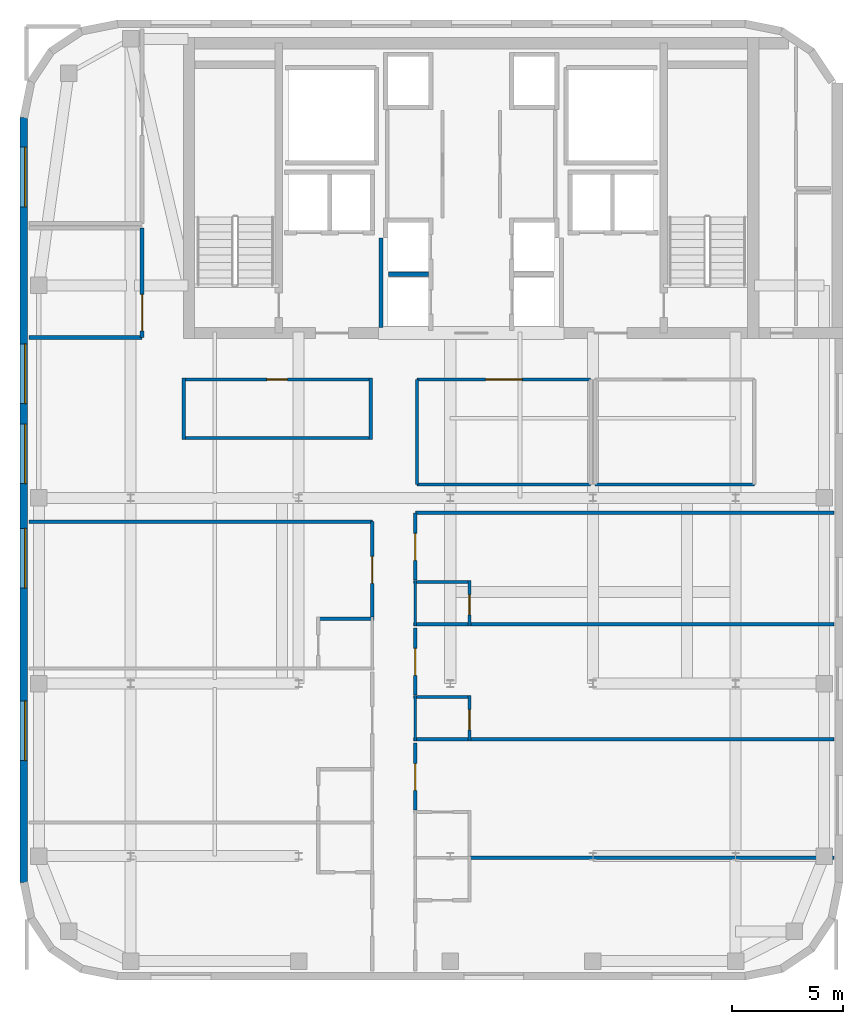
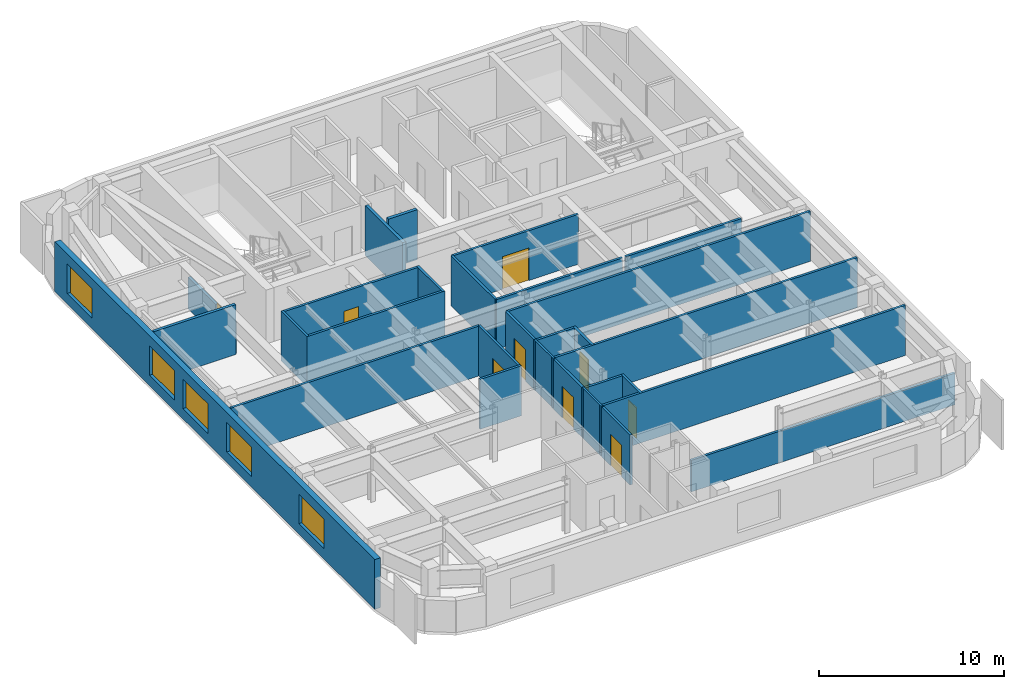
# One storey, part 4 of 8: 29 walls, 9 doors, 5 windows, 14 openings.
"""IFC4 building model written with IfcOpenShell, lengths in metres."""

from ifc_helpers import new_model, si_unit, direction, frame, frame_2d, origin, place, context, subcontext, project, spatial, rectangle, extrude, source, transform, mapped, material, layer, layer_set, type_object, type_shapes, element, fill, save


model = new_model("IFC4")

# Units and contexts
model_context = context("Model", 3, precision=1e-05, world=origin(), true_north=direction((0.0, 1.0)))
body_context = subcontext(model_context, "Body", "Model", "MODEL_VIEW")
ifc_project = project(units=[si_unit("LENGTHUNIT", "METRE"), si_unit("AREAUNIT", "SQUARE_METRE"), si_unit("VOLUMEUNIT", "CUBIC_METRE"), si_unit("PLANEANGLEUNIT", "RADIAN"), si_unit("MASSUNIT", "GRAM", prefix="KILO")], contexts=[model_context])

# Site, building, storey
site_placement = place(None, origin())
site = spatial("IfcSite", under=ifc_project, at=site_placement, CompositionType="ELEMENT")
building_placement = place(site_placement, origin())
building = spatial("IfcBuilding", under=site, at=building_placement, Name="Tolvann Quenvar Hotel", CompositionType="ELEMENT")
storey_placement = place(building_placement, frame((0.0, 0.0, 238.10009765625)))
storey = spatial("IfcBuildingStorey", under=building, at=storey_placement, Name="L63", CompositionType="ELEMENT", Elevation=238.10009765625)

# Wall, openings, windows
ifc_material_1 = material(Name="Kiln-fired red and buff architectural clay brickwork and terracotta masonry", Category="masonry")
ifc_layer_1 = layer(ifc_material_1, 0.35009765625)
ifc_layer_set_1 = layer_set([ifc_layer_1], Name="Kiln-fired red and buff architectural clay brickwork and terracotta masonry")
wall_type_1 = type_object("IfcWallType", Name="WALL_EXT_BRICK_350", PredefinedType="SOLIDWALL", material=ifc_layer_set_1)
wall_1_placement = place(storey_placement, frame((2.77490234375, 41.582763671875, 0.0), z_axis=(0.0, 0.0, 1.0), x_axis=(0.0, -1.0, 0.0)))
wall_1 = element("IfcWall", 1, at=wall_1_placement, inside=storey, type_object=wall_type_1, Name="Exterior Chicago Brick Wall L63-E19", PredefinedType="SOLIDWALL", context=body_context, shape_type="SweptSolid", body=[
    extrude(rectangle(XDim=34.565673828125, YDim=0.35009765625, at=frame_2d((17.28271484375, 0.0))), origin(), (0.0, 0.0, 1.0), 3.289794921875),
])
opening_1_placement = place(wall_1_placement, frame((1.3349609375, 0.0, 0.679931640625)))
opening_1 = element("IfcOpeningElement", 2, at=opening_1_placement, cuts=wall_1, Name="Opening W-04", PredefinedType="OPENING", context=body_context, shape_type="SweptSolid", body=[
    extrude(rectangle(XDim=2.699951171875, YDim=1.949951171875, at=frame_2d((1.35009765625, 0.97509765625))), frame((0.0, 0.18505859375, 0.0), z_axis=(0.0, -1.0, 0.0), x_axis=(1.0, 0.0, 0.0)), (0.0, 0.0, 1.0), 0.3701171875),
])
opening_2_placement = place(wall_1_placement, frame((10.22705078125, 0.0, 0.679931640625)))
opening_2 = element("IfcOpeningElement", 3, at=opening_2_placement, cuts=wall_1, Name="Opening W-04", PredefinedType="OPENING", context=body_context, shape_type="SweptSolid", body=[
    extrude(rectangle(XDim=2.699951171875, YDim=1.949951171875, at=frame_2d((1.35009765625, 0.97509765625))), frame((0.0, 0.18505859375, 0.0), z_axis=(0.0, -1.0, 0.0), x_axis=(1.0, 0.0, 0.0)), (0.0, 0.0, 1.0), 0.3701171875),
])
opening_3_placement = place(wall_1_placement, frame((13.846923828125, 0.0, 0.679931640625)))
opening_3 = element("IfcOpeningElement", 4, at=opening_3_placement, cuts=wall_1, Name="Opening W-04", PredefinedType="OPENING", context=body_context, shape_type="SweptSolid", body=[
    extrude(rectangle(XDim=2.699951171875, YDim=1.949951171875, at=frame_2d((1.35009765625, 0.97509765625))), frame((0.0, 0.18505859375, 0.0), z_axis=(0.0, -1.0, 0.0), x_axis=(1.0, 0.0, 0.0)), (0.0, 0.0, 1.0), 0.3701171875),
])
opening_4_placement = place(wall_1_placement, frame((18.568115234375, 0.0, 0.679931640625)))
opening_4 = element("IfcOpeningElement", 5, at=opening_4_placement, cuts=wall_1, Name="Opening W-04", PredefinedType="OPENING", context=body_context, shape_type="SweptSolid", body=[
    extrude(rectangle(XDim=2.699951171875, YDim=1.949951171875, at=frame_2d((1.35009765625, 0.97509765625))), frame((0.0, 0.18505859375, 0.0), z_axis=(0.0, -1.0, 0.0), x_axis=(1.0, 0.0, 0.0)), (0.0, 0.0, 1.0), 0.3701171875),
])
opening_5_placement = place(wall_1_placement, frame((26.360107421875, 0.0, 0.679931640625)))
opening_5 = element("IfcOpeningElement", 6, at=opening_5_placement, cuts=wall_1, Name="Opening W-04", PredefinedType="OPENING", context=body_context, shape_type="SweptSolid", body=[
    extrude(rectangle(XDim=2.699951171875, YDim=1.949951171875, at=frame_2d((1.35009765625, 0.97509765625))), frame((0.0, 0.18505859375, 0.0), z_axis=(0.0, -1.0, 0.0), x_axis=(1.0, 0.0, 0.0)), (0.0, 0.0, 1.0), 0.3701171875),
])
ifc_material_2 = material(Name="Thermally broken bronze-anodised aluminium frame with double low-E glazing", Category="aluminium")
window_type = type_object("IfcWindowType", Name="WIN_STE_2700x2150", PartitioningType="TRIPLE_PANEL_HORIZONTAL", PredefinedType="WINDOW", material=ifc_material_2)
shared_shape_1 = source(origin(), body_context, "Body", "SweptSolid", [
    extrude(rectangle(XDim=2.699951171875, YDim=1.949951171875, at=frame_2d((1.35009765625, 0.97509765625))), frame((0.0, 0.090087890625, 0.0), z_axis=(0.0, -1.0, 0.0), x_axis=(1.0, 0.0, 0.0)), (0.0, 0.0, 1.0), 0.06005859375),
])
type_shapes(window_type, [shared_shape_1])
window_1_placement = place(opening_1_placement, origin())
window_1 = element("IfcWindow", 7, at=window_1_placement, inside=storey, type_object=window_type, Name="Chicago Window W-04 (EW-L63-E19-W01)", OverallHeight=1.949951171875, OverallWidth=2.699951171875, PartitioningType="TRIPLE_PANEL_HORIZONTAL", PredefinedType="WINDOW", context=body_context, shape_type="MappedRepresentation", body=[
    mapped(shared_shape_1, transform((0.0, 0.0, 0.0), x_axis=(1.0, 0.0, 0.0), y_axis=(0.0, 1.0, 0.0), z_axis=(0.0, 0.0, 1.0), scale=1.0)),
])
fill(opening_1, window_1)
window_2_placement = place(opening_2_placement, origin())
window_2 = element("IfcWindow", 8, at=window_2_placement, inside=storey, type_object=window_type, Name="Chicago Window W-04 (EW-L63-E19-W02)", OverallHeight=1.949951171875, OverallWidth=2.699951171875, PartitioningType="TRIPLE_PANEL_HORIZONTAL", PredefinedType="WINDOW", context=body_context, shape_type="MappedRepresentation", body=[
    mapped(shared_shape_1, transform((0.0, 0.0, 0.0), x_axis=(1.0, 0.0, 0.0), y_axis=(0.0, 1.0, 0.0), z_axis=(0.0, 0.0, 1.0), scale=1.0)),
])
fill(opening_2, window_2)
window_3_placement = place(opening_3_placement, origin())
window_3 = element("IfcWindow", 9, at=window_3_placement, inside=storey, type_object=window_type, Name="Chicago Window W-04 (EW-L63-E19-W03)", OverallHeight=1.949951171875, OverallWidth=2.699951171875, PartitioningType="TRIPLE_PANEL_HORIZONTAL", PredefinedType="WINDOW", context=body_context, shape_type="MappedRepresentation", body=[
    mapped(shared_shape_1, transform((0.0, 0.0, 0.0), x_axis=(1.0, 0.0, 0.0), y_axis=(0.0, 1.0, 0.0), z_axis=(0.0, 0.0, 1.0), scale=1.0)),
])
fill(opening_3, window_3)
window_4_placement = place(opening_4_placement, origin())
window_4 = element("IfcWindow", 10, at=window_4_placement, inside=storey, type_object=window_type, Name="Chicago Window W-04 (EW-L63-E19-W04)", OverallHeight=1.949951171875, OverallWidth=2.699951171875, PartitioningType="TRIPLE_PANEL_HORIZONTAL", PredefinedType="WINDOW", context=body_context, shape_type="MappedRepresentation", body=[
    mapped(shared_shape_1, transform((0.0, 0.0, 0.0), x_axis=(1.0, 0.0, 0.0), y_axis=(0.0, 1.0, 0.0), z_axis=(0.0, 0.0, 1.0), scale=1.0)),
])
fill(opening_4, window_4)
window_5_placement = place(opening_5_placement, origin())
window_5 = element("IfcWindow", 11, at=window_5_placement, inside=storey, type_object=window_type, Name="Chicago Window W-04 (EW-L63-E19-W05)", OverallHeight=1.949951171875, OverallWidth=2.699951171875, PartitioningType="TRIPLE_PANEL_HORIZONTAL", PredefinedType="WINDOW", context=body_context, shape_type="MappedRepresentation", body=[
    mapped(shared_shape_1, transform((0.0, 0.0, 0.0), x_axis=(1.0, 0.0, 0.0), y_axis=(0.0, 1.0, 0.0), z_axis=(0.0, 0.0, 1.0), scale=1.0)),
])
fill(opening_5, window_5)

# Wall
ifc_material_3 = material(Name="Acoustic twin-stud fire-rated gypsum plasterboard partition")
ifc_layer_2 = layer(ifc_material_3, 0.179931640625)
ifc_layer_set_2 = layer_set([ifc_layer_2], Name="Acoustic twin-stud fire-rated gypsum plasterboard partition")
wall_type_2 = type_object("IfcWallType", Name="WALL_PART_ACOUSTIC_180", PredefinedType="PARTITIONING", material=ifc_layer_set_2)
wall_2_placement = place(storey_placement, frame((3.0048828125, 31.64990234375, 0.0), z_axis=(0.0, 0.0, 1.0), x_axis=(1.0, 0.0, 0.0)))
element("IfcWall", 12, at=wall_2_placement, inside=storey, type_object=wall_type_2, Name="Interior Partition PT-SPC-L63-SAL-S", PredefinedType="PARTITIONING", context=body_context, shape_type="SweptSolid", body=[
    extrude(rectangle(XDim=5.115234375, YDim=0.179931640625, at=frame_2d((2.5576171875, 0.0))), origin(), (0.0, 0.0, 1.0), 3.289794921875),
])

# Wall, opening, door
wall_3_placement = place(storey_placement, frame((8.1201171875, 31.64990234375, 0.0), z_axis=(0.0, 0.0, 1.0), x_axis=(0.0, 1.0, 0.0)))
wall_3 = element("IfcWall", 13, at=wall_3_placement, inside=storey, type_object=wall_type_2, Name="Interior Partition PT-SPC-L63-SAL-E", PredefinedType="PARTITIONING", context=body_context, shape_type="SweptSolid", body=[
    extrude(rectangle(XDim=4.9501953125, YDim=0.179931640625, at=frame_2d((2.47509765625, 0.0))), origin(), (0.0, 0.0, 1.0), 2.079833984375),
])
opening_6_placement = place(wall_3_placement, frame((0.300048828125, 0.0, 0.0)))
opening_6 = element("IfcOpeningElement", 14, at=opening_6_placement, cuts=wall_3, Name="Opening AD-01", PredefinedType="OPENING", context=body_context, shape_type="SweptSolid", body=[
    extrude(rectangle(XDim=1.64990234375, YDim=2.14990234375, at=frame_2d((0.824951171875, 1.074951171875))), frame((0.0, 0.10009765625, 0.0), z_axis=(0.0, -1.0, 0.0), x_axis=(1.0, 0.0, 0.0)), (0.0, 0.0, 1.0), 0.199951171875),
])
ifc_material_4 = material(Name="Solid-core American oak acoustic fire door leaf in steel frame", Category="steel")
door_type_1 = type_object("IfcDoorType", Name="DOOR_SALON_1650", OperationType="NOTDEFINED", PredefinedType="DOOR", material=ifc_material_4)
shared_shape_2 = source(origin(), body_context, "Body", "SweptSolid", [
    extrude(rectangle(XDim=1.64990234375, YDim=2.14990234375, at=frame_2d((0.824951171875, 1.074951171875))), frame((0.0, 0.02490234375, 0.0), z_axis=(0.0, -1.0, 0.0), x_axis=(1.0, 0.0, 0.0)), (0.0, 0.0, 1.0), 0.050048828125),
])
type_shapes(door_type_1, [shared_shape_2])
door_1_placement = place(opening_6_placement, origin())
door_1 = element("IfcDoor", 15, at=door_1_placement, inside=storey, type_object=door_type_1, Name="Interior Door DOOR-SPC-L63-SAL", OperationType="DOUBLE_DOOR_SINGLE_SWING", OverallHeight=2.14990234375, OverallWidth=1.64990234375, PredefinedType="DOOR", context=body_context, shape_type="MappedRepresentation", body=[
    mapped(shared_shape_2, transform((0.0, 0.0, 0.0), x_axis=(1.0, 0.0, 0.0), y_axis=(0.0, 1.0, 0.0), z_axis=(0.0, 0.0, 1.0), scale=1.0)),
])
fill(opening_6, door_1)

# Walls
ifc_material_5 = material(Name="Moisture-resistant acoustic plumbing wall assembly")
ifc_layer_3 = layer(ifc_material_5, 0.1201171875)
ifc_layer_set_3 = layer_set([ifc_layer_3], Name="Moisture-resistant acoustic plumbing wall assembly")
wall_type_3 = type_object("IfcWallType", Name="WALL_PART_BATH_120", PredefinedType="PLUMBINGWALL", material=ifc_layer_set_3)
wall_4_placement = place(storey_placement, frame((20.469970703125, 13.409912109375, 0.0), z_axis=(0.0, 0.0, 1.0), x_axis=(0.0, 1.0, 0.0)))
element("IfcWall", 16, at=wall_4_placement, inside=storey, type_object=wall_type_3, Name="Non-Rated Plumbing Partition PT-SPC-L63-ENS-EO03-W", PredefinedType="PLUMBINGWALL", context=body_context, shape_type="SweptSolid", body=[
    extrude(rectangle(XDim=2.05517578125, YDim=0.1201171875, at=frame_2d((1.027587890625, 0.0))), origin(), (0.0, 0.0, 1.0), 3.289794921875),
])
wall_5_placement = place(storey_placement, frame((20.469970703125, 18.610107421875, 0.0), z_axis=(0.0, 0.0, 1.0), x_axis=(0.0, 1.0, 0.0)))
element("IfcWall", 17, at=wall_5_placement, inside=storey, type_object=wall_type_3, Name="Non-Rated Plumbing Partition PT-SPC-L63-ENS-EO04-W", PredefinedType="PLUMBINGWALL", context=body_context, shape_type="SweptSolid", body=[
    extrude(rectangle(XDim=2.054931640625, YDim=0.1201171875, at=frame_2d((1.02734375, 0.0))), origin(), (0.0, 0.0, 1.0), 3.289794921875),
])
ifc_layer_4 = layer(ifc_material_3, 0.14990234375)
ifc_layer_set_4 = layer_set([ifc_layer_4], Name="Acoustic twin-stud fire-rated gypsum plasterboard partition")
wall_type_4 = type_object("IfcWallType", Name="WALL_PART_SUITE_150", PredefinedType="PARTITIONING", material=ifc_layer_set_4)
wall_6_placement = place(storey_placement, frame((16.010009765625, 18.929931640625, 0.0), z_axis=(0.0, 0.0, 1.0), x_axis=(1.0, 0.0, 0.0)))
element("IfcWall", 18, at=wall_6_placement, inside=storey, type_object=wall_type_4, Name="Interior Partition PT-SPC-L63-ENS-WO03-N", PredefinedType="PARTITIONING", context=body_context, shape_type="SweptSolid", body=[
    extrude(rectangle(XDim=2.590087890625, YDim=0.14990234375, at=frame_2d((1.294921875, 0.0))), origin(), (0.0, 0.0, 1.0), 3.289794921875),
])

# Wall, opening, door
wall_7_placement = place(storey_placement, frame((22.919921875, 13.409912109375, 0.0), z_axis=(0.0, 0.0, 1.0), x_axis=(0.0, 1.0, 0.0)))
wall_7 = element("IfcWall", 19, at=wall_7_placement, inside=storey, type_object=wall_type_4, Name="Interior Partition PT-SPC-L63-ENS-EO03-ENT", PredefinedType="PARTITIONING", context=body_context, shape_type="SweptSolid", body=[
    extrude(rectangle(XDim=2.05517578125, YDim=0.14990234375, at=frame_2d((1.027587890625, 0.0))), origin(), (0.0, 0.0, 1.0), 3.289794921875),
])
opening_7_placement = place(wall_7_placement, frame((0.49755859375, 0.0, 0.0)))
opening_7 = element("IfcOpeningElement", 20, at=opening_7_placement, cuts=wall_7, Name="Opening WD-01", PredefinedType="OPENING", context=body_context, shape_type="SweptSolid", body=[
    extrude(rectangle(XDim=0.919921875, YDim=2.010009765625, at=frame_2d((0.4599609375, 1.0048828125))), frame((0.0, 0.0849609375, 0.0), z_axis=(0.0, -1.0, 0.0), x_axis=(1.0, 0.0, 0.0)), (0.0, 0.0, 1.0), 0.169921875),
])
door_type_2 = type_object("IfcDoorType", Name="DOOR_WC_920", OperationType="NOTDEFINED", PredefinedType="DOOR", material=ifc_material_4)
shared_shape_3 = source(origin(), body_context, "Body", "SweptSolid", [
    extrude(rectangle(XDim=0.919921875, YDim=2.010009765625, at=frame_2d((0.4599609375, 1.0048828125))), frame((0.0, 0.02490234375, 0.0), z_axis=(0.0, -1.0, 0.0), x_axis=(1.0, 0.0, 0.0)), (0.0, 0.0, 1.0), 0.050048828125),
])
type_shapes(door_type_2, [shared_shape_3])
door_2_placement = place(opening_7_placement, origin())
door_2 = element("IfcDoor", 21, at=door_2_placement, inside=storey, type_object=door_type_2, Name="Interior Door DOOR-SPC-L63-ENS-EO03", OperationType="SINGLE_SWING_LEFT", OverallHeight=2.010009765625, OverallWidth=0.919921875, PredefinedType="DOOR", context=body_context, shape_type="MappedRepresentation", body=[
    mapped(shared_shape_3, transform((0.0, 0.0, 0.0), x_axis=(1.0, 0.0, 0.0), y_axis=(0.0, 1.0, 0.0), z_axis=(0.0, 0.0, 1.0), scale=1.0)),
])
fill(opening_7, door_2)

# Walls
wall_8_placement = place(storey_placement, frame((20.39990234375, 13.47998046875, 0.0), z_axis=(0.0, 0.0, 1.0), x_axis=(1.0, 0.0, 0.0)))
element("IfcWall", 22, at=wall_8_placement, inside=storey, type_object=wall_type_4, Name="Interior Partition PT-SPC-L63-ENS-EO03-S", PredefinedType="PARTITIONING", context=body_context, shape_type="SweptSolid", body=[
    extrude(rectangle(XDim=18.9951171875, YDim=0.14990234375, at=frame_2d((9.49755859375, 0.0))), origin(), (0.0, 0.0, 1.0), 3.289794921875),
])
wall_9_placement = place(storey_placement, frame((20.39990234375, 15.39501953125, 0.0), z_axis=(0.0, 0.0, 1.0), x_axis=(1.0, 0.0, 0.0)))
element("IfcWall", 23, at=wall_9_placement, inside=storey, type_object=wall_type_4, Name="Interior Partition PT-SPC-L63-ENS-EO03-N", PredefinedType="PARTITIONING", context=body_context, shape_type="SweptSolid", body=[
    extrude(rectangle(XDim=2.590087890625, YDim=0.14990234375, at=frame_2d((1.294921875, 0.0))), origin(), (0.0, 0.0, 1.0), 3.289794921875),
])

# Wall, opening, door
wall_10_placement = place(storey_placement, frame((22.919921875, 18.610107421875, 0.0), z_axis=(0.0, 0.0, 1.0), x_axis=(0.0, 1.0, 0.0)))
wall_10 = element("IfcWall", 24, at=wall_10_placement, inside=storey, type_object=wall_type_4, Name="Interior Partition PT-SPC-L63-ENS-EO04-ENT", PredefinedType="PARTITIONING", context=body_context, shape_type="SweptSolid", body=[
    extrude(rectangle(XDim=2.054931640625, YDim=0.14990234375, at=frame_2d((1.02734375, 0.0))), origin(), (0.0, 0.0, 1.0), 3.289794921875),
])
opening_8_placement = place(wall_10_placement, frame((0.49755859375, 0.0, 0.0)))
opening_8 = element("IfcOpeningElement", 25, at=opening_8_placement, cuts=wall_10, Name="Opening WD-01", PredefinedType="OPENING", context=body_context, shape_type="SweptSolid", body=[
    extrude(rectangle(XDim=0.919921875, YDim=2.010009765625, at=frame_2d((0.4599609375, 1.0048828125))), frame((0.0, 0.0849609375, 0.0), z_axis=(0.0, -1.0, 0.0), x_axis=(1.0, 0.0, 0.0)), (0.0, 0.0, 1.0), 0.169921875),
])
door_3_placement = place(opening_8_placement, origin())
door_3 = element("IfcDoor", 26, at=door_3_placement, inside=storey, type_object=door_type_2, Name="Interior Door DOOR-SPC-L63-ENS-EO04", OperationType="SINGLE_SWING_RIGHT", OverallHeight=2.010009765625, OverallWidth=0.919921875, PredefinedType="DOOR", context=body_context, shape_type="MappedRepresentation", body=[
    mapped(shared_shape_3, transform((0.0, 0.0, 0.0), x_axis=(1.0, 0.0, 0.0), y_axis=(0.0, 1.0, 0.0), z_axis=(0.0, 0.0, 1.0), scale=1.0)),
])
fill(opening_8, door_3)

# Walls
wall_11_placement = place(storey_placement, frame((20.39990234375, 18.679931640625, 0.0), z_axis=(0.0, 0.0, 1.0), x_axis=(1.0, 0.0, 0.0)))
element("IfcWall", 27, at=wall_11_placement, inside=storey, type_object=wall_type_4, Name="Interior Partition PT-SPC-L63-ENS-EO04-S", PredefinedType="PARTITIONING", context=body_context, shape_type="SweptSolid", body=[
    extrude(rectangle(XDim=18.9951171875, YDim=0.14990234375, at=frame_2d((9.49755859375, 0.0))), origin(), (0.0, 0.0, 1.0), 3.289794921875),
])
wall_12_placement = place(storey_placement, frame((20.39990234375, 20.594970703125, 0.0), z_axis=(0.0, 0.0, 1.0), x_axis=(1.0, 0.0, 0.0)))
element("IfcWall", 28, at=wall_12_placement, inside=storey, type_object=wall_type_4, Name="Interior Partition PT-SPC-L63-ENS-EO04-N", PredefinedType="PARTITIONING", context=body_context, shape_type="SweptSolid", body=[
    extrude(rectangle(XDim=2.590087890625, YDim=0.14990234375, at=frame_2d((1.294921875, 0.0))), origin(), (0.0, 0.0, 1.0), 3.289794921875),
])

# Wall, opening, door
wall_13_placement = place(storey_placement, frame((18.530029296875, 19.010009765625, 0.0), z_axis=(0.0, 0.0, 1.0), x_axis=(0.0, 1.0, 0.0)))
wall_13 = element("IfcWall", 29, at=wall_13_placement, inside=storey, type_object=wall_type_4, Name="Interior Partition PT-SPC-L63-RM-WO03-ENT", PredefinedType="PARTITIONING", context=body_context, shape_type="SweptSolid", body=[
    extrude(rectangle(XDim=4.31005859375, YDim=0.14990234375, at=frame_2d((2.155029296875, 0.0))), origin(), (0.0, 0.0, 1.0), 3.289794921875),
])
opening_9_placement = place(wall_13_placement, frame((1.52490234375, 0.0, 0.0)))
opening_9 = element("IfcOpeningElement", 30, at=opening_9_placement, cuts=wall_13, Name="Opening SD-02", PredefinedType="OPENING", context=body_context, shape_type="SweptSolid", body=[
    extrude(rectangle(XDim=1.219970703125, YDim=2.080078125, at=frame_2d((0.60986328125, 1.0400390625))), frame((0.0, 0.0849609375, 0.0), z_axis=(0.0, -1.0, 0.0), x_axis=(1.0, 0.0, 0.0)), (0.0, 0.0, 1.0), 0.169921875),
])
door_type_3 = type_object("IfcDoorType", Name="DOOR_VIP_1220", OperationType="NOTDEFINED", PredefinedType="DOOR", material=ifc_material_4)
shared_shape_4 = source(origin(), body_context, "Body", "SweptSolid", [
    extrude(rectangle(XDim=1.219970703125, YDim=2.080078125, at=frame_2d((0.60986328125, 1.0400390625))), frame((0.0, 0.02490234375, 0.0), z_axis=(0.0, -1.0, 0.0), x_axis=(1.0, 0.0, 0.0)), (0.0, 0.0, 1.0), 0.050048828125),
])
type_shapes(door_type_3, [shared_shape_4])
door_4_placement = place(opening_9_placement, origin())
door_4 = element("IfcDoor", 31, at=door_4_placement, inside=storey, type_object=door_type_3, Name="Interior Door DOOR-SPC-L63-RM-WO03", OperationType="SINGLE_SWING_LEFT", OverallHeight=2.080078125, OverallWidth=1.219970703125, PredefinedType="DOOR", context=body_context, shape_type="MappedRepresentation", body=[
    mapped(shared_shape_4, transform((0.0, 0.0, 0.0), x_axis=(1.0, 0.0, 0.0), y_axis=(0.0, 1.0, 0.0), z_axis=(0.0, 0.0, 1.0), scale=1.0)),
])
fill(opening_9, door_4)

# Walls
wall_14_placement = place(storey_placement, frame((3.0048828125, 23.320068359375, 0.0), z_axis=(0.0, 0.0, 1.0), x_axis=(1.0, 0.0, 0.0)))
element("IfcWall", 32, at=wall_14_placement, inside=storey, type_object=wall_type_4, Name="Interior Partition PT-SPC-L63-RM-WO03-E5", PredefinedType="PARTITIONING", context=body_context, shape_type="SweptSolid", body=[
    extrude(rectangle(XDim=15.525146484375, YDim=0.14990234375, at=frame_2d((7.7626953125, 0.0))), origin(), (0.0, 0.0, 1.0), 3.289794921875),
])
wall_15_placement = place(storey_placement, frame((22.93994140625, 8.1201171875, 0.0), z_axis=(0.0, 0.0, 1.0), x_axis=(1.0, 0.0, 0.0)))
element("IfcWall", 33, at=wall_15_placement, inside=storey, type_object=wall_type_4, Name="Interior Partition PT-SPC-L63-RM-EO01-E3", PredefinedType="PARTITIONING", context=body_context, shape_type="SweptSolid", body=[
    extrude(rectangle(XDim=16.455078125, YDim=0.14990234375, at=frame_2d((8.2275390625, 0.0))), origin(), (0.0, 0.0, 1.0), 2.079833984375),
])

# Wall, opening, door
wall_16_placement = place(storey_placement, frame((20.469970703125, 10.27490234375, 0.0), z_axis=(0.0, 0.0, 1.0), x_axis=(0.0, 1.0, 0.0)))
wall_16 = element("IfcWall", 34, at=wall_16_placement, inside=storey, type_object=wall_type_4, Name="Interior Partition PT-SPC-L63-RM-EO02-ENT", PredefinedType="PARTITIONING", context=body_context, shape_type="SweptSolid", body=[
    extrude(rectangle(XDim=3.045166015625, YDim=0.14990234375, at=frame_2d((1.5224609375, 0.0))), origin(), (0.0, 0.0, 1.0), 3.289794921875),
])
opening_10_placement = place(wall_16_placement, frame((0.892578125, 0.0, 0.0)))
opening_10 = element("IfcOpeningElement", 35, at=opening_10_placement, cuts=wall_16, Name="Opening SD-02", PredefinedType="OPENING", context=body_context, shape_type="SweptSolid", body=[
    extrude(rectangle(XDim=1.219970703125, YDim=2.080078125, at=frame_2d((0.60986328125, 1.0400390625))), frame((0.0, 0.0849609375, 0.0), z_axis=(0.0, -1.0, 0.0), x_axis=(1.0, 0.0, 0.0)), (0.0, 0.0, 1.0), 0.169921875),
])
door_5_placement = place(opening_10_placement, origin())
door_5 = element("IfcDoor", 36, at=door_5_placement, inside=storey, type_object=door_type_3, Name="Interior Door DOOR-SPC-L63-RM-EO02", OperationType="SINGLE_SWING_LEFT", OverallHeight=2.080078125, OverallWidth=1.219970703125, PredefinedType="DOOR", context=body_context, shape_type="MappedRepresentation", body=[
    mapped(shared_shape_4, transform((0.0, 0.0, 0.0), x_axis=(1.0, 0.0, 0.0), y_axis=(0.0, 1.0, 0.0), z_axis=(0.0, 0.0, 1.0), scale=1.0)),
])
fill(opening_10, door_5)

wall_17_placement = place(storey_placement, frame((20.469970703125, 15.47509765625, 0.0), z_axis=(0.0, 0.0, 1.0), x_axis=(0.0, 1.0, 0.0)))
wall_17 = element("IfcWall", 37, at=wall_17_placement, inside=storey, type_object=wall_type_4, Name="Interior Partition PT-SPC-L63-RM-EO03-ENT", PredefinedType="PARTITIONING", context=body_context, shape_type="SweptSolid", body=[
    extrude(rectangle(XDim=3.044921875, YDim=0.14990234375, at=frame_2d((1.5224609375, 0.0))), origin(), (0.0, 0.0, 1.0), 3.289794921875),
])
opening_11_placement = place(wall_17_placement, frame((0.892578125, 0.0, 0.0)))
opening_11 = element("IfcOpeningElement", 38, at=opening_11_placement, cuts=wall_17, Name="Opening SD-02", PredefinedType="OPENING", context=body_context, shape_type="SweptSolid", body=[
    extrude(rectangle(XDim=1.219970703125, YDim=2.080078125, at=frame_2d((0.60986328125, 1.0400390625))), frame((0.0, 0.0849609375, 0.0), z_axis=(0.0, -1.0, 0.0), x_axis=(1.0, 0.0, 0.0)), (0.0, 0.0, 1.0), 0.169921875),
])
door_6_placement = place(opening_11_placement, origin())
door_6 = element("IfcDoor", 39, at=door_6_placement, inside=storey, type_object=door_type_3, Name="Interior Door DOOR-SPC-L63-RM-EO03", OperationType="SINGLE_SWING_RIGHT", OverallHeight=2.080078125, OverallWidth=1.219970703125, PredefinedType="DOOR", context=body_context, shape_type="MappedRepresentation", body=[
    mapped(shared_shape_4, transform((0.0, 0.0, 0.0), x_axis=(1.0, 0.0, 0.0), y_axis=(0.0, 1.0, 0.0), z_axis=(0.0, 0.0, 1.0), scale=1.0)),
])
fill(opening_11, door_6)

wall_18_placement = place(storey_placement, frame((20.469970703125, 20.675048828125, 0.0), z_axis=(0.0, 0.0, 1.0), x_axis=(0.0, 1.0, 0.0)))
wall_18 = element("IfcWall", 40, at=wall_18_placement, inside=storey, type_object=wall_type_4, Name="Interior Partition PT-SPC-L63-RM-EO04-ENT", PredefinedType="PARTITIONING", context=body_context, shape_type="SweptSolid", body=[
    extrude(rectangle(XDim=3.044921875, YDim=0.14990234375, at=frame_2d((1.5224609375, 0.0))), origin(), (0.0, 0.0, 1.0), 3.289794921875),
])
opening_12_placement = place(wall_18_placement, frame((0.892578125, 0.0, 0.0)))
opening_12 = element("IfcOpeningElement", 41, at=opening_12_placement, cuts=wall_18, Name="Opening SD-02", PredefinedType="OPENING", context=body_context, shape_type="SweptSolid", body=[
    extrude(rectangle(XDim=1.219970703125, YDim=2.080078125, at=frame_2d((0.60986328125, 1.0400390625))), frame((0.0, 0.0849609375, 0.0), z_axis=(0.0, -1.0, 0.0), x_axis=(1.0, 0.0, 0.0)), (0.0, 0.0, 1.0), 0.169921875),
])
door_7_placement = place(opening_12_placement, origin())
door_7 = element("IfcDoor", 42, at=door_7_placement, inside=storey, type_object=door_type_3, Name="Interior Door DOOR-SPC-L63-RM-EO04", OperationType="SINGLE_SWING_LEFT", OverallHeight=2.080078125, OverallWidth=1.219970703125, PredefinedType="DOOR", context=body_context, shape_type="MappedRepresentation", body=[
    mapped(shared_shape_4, transform((0.0, 0.0, 0.0), x_axis=(1.0, 0.0, 0.0), y_axis=(0.0, 1.0, 0.0), z_axis=(0.0, 0.0, 1.0), scale=1.0)),
])
fill(opening_12, door_7)

# Walls
wall_19_placement = place(storey_placement, frame((20.469970703125, 23.719970703125, 0.0), z_axis=(0.0, 0.0, 1.0), x_axis=(1.0, 0.0, 0.0)))
element("IfcWall", 43, at=wall_19_placement, inside=storey, type_object=wall_type_4, Name="Interior Partition PT-SPC-L63-RM-EO04-E5", PredefinedType="PARTITIONING", context=body_context, shape_type="SweptSolid", body=[
    extrude(rectangle(XDim=18.925048828125, YDim=0.14990234375, at=frame_2d((9.46240234375, 0.0))), origin(), (0.0, 0.0, 1.0), 3.289794921875),
])
wall_20_placement = place(storey_placement, frame((9.929931640625, 27.10009765625, 0.0), z_axis=(0.0, 0.0, 1.0), x_axis=(1.0, 0.0, 0.0)))
element("IfcWall", 44, at=wall_20_placement, inside=storey, type_object=wall_type_4, Name="Interior Partition PT-SPC-L63-WCA-S", PredefinedType="PARTITIONING", context=body_context, shape_type="SweptSolid", body=[
    extrude(rectangle(XDim=8.590087890625, YDim=0.14990234375, at=frame_2d((4.294921875, 0.0))), origin(), (0.0, 0.0, 1.0), 3.289794921875),
])

# Wall, opening, door
wall_21_placement = place(storey_placement, frame((9.929931640625, 29.75, 0.0), z_axis=(0.0, 0.0, 1.0), x_axis=(1.0, 0.0, 0.0)))
wall_21 = element("IfcWall", 45, at=wall_21_placement, inside=storey, type_object=wall_type_4, Name="Interior Partition PT-SPC-L63-WCA-N", PredefinedType="PARTITIONING", context=body_context, shape_type="SweptSolid", body=[
    extrude(rectangle(XDim=8.590087890625, YDim=0.14990234375, at=frame_2d((4.294921875, 0.0))), origin(), (0.0, 0.0, 1.0), 3.289794921875),
])
opening_13_placement = place(wall_21_placement, frame((3.8349609375, 0.0, 0.0)))
opening_13 = element("IfcOpeningElement", 46, at=opening_13_placement, cuts=wall_21, Name="Opening WD-01", PredefinedType="OPENING", context=body_context, shape_type="SweptSolid", body=[
    extrude(rectangle(XDim=0.919921875, YDim=2.010009765625, at=frame_2d((0.4599609375, 1.0048828125))), frame((0.0, 0.0849609375, 0.0), z_axis=(0.0, -1.0, 0.0), x_axis=(1.0, 0.0, 0.0)), (0.0, 0.0, 1.0), 0.169921875),
])
door_8_placement = place(opening_13_placement, origin())
door_8 = element("IfcDoor", 47, at=door_8_placement, inside=storey, type_object=door_type_2, Name="Interior Door DOOR-SPC-L63-WCA", OperationType="SINGLE_SWING_LEFT", OverallHeight=2.010009765625, OverallWidth=0.919921875, PredefinedType="DOOR", context=body_context, shape_type="MappedRepresentation", body=[
    mapped(shared_shape_3, transform((0.0, 0.0, 0.0), x_axis=(1.0, 0.0, 0.0), y_axis=(0.0, 1.0, 0.0), z_axis=(0.0, 0.0, 1.0), scale=1.0)),
])
fill(opening_13, door_8)

# Walls
for number, where, z_axis, x_axis, name in (
    (48, (10.0, 27.030029296875, 0.0), (0.0, 0.0, 1.0), (0.0, 1.0, 0.0), "Interior Partition PT-SPC-L63-WCA-W"),
    (49, (18.449951171875, 27.030029296875, 0.0), (0.0, 0.0, 1.0), (0.0, 1.0, 0.0), "Interior Partition PT-SPC-L63-WCA-E"),
):
    element("IfcWall", number, at=place(storey_placement, frame(where, z_axis=z_axis, x_axis=x_axis)), inside=storey, type_object=wall_type_4, Name=name, PredefinedType="PARTITIONING", context=body_context, shape_type="SweptSolid", body=[
        extrude(rectangle(XDim=2.7900390625, YDim=0.14990234375, at=frame_2d((1.39501953125, 0.0))), origin(), (0.0, 0.0, 1.0), 3.289794921875),
    ])
wall_22_placement = place(storey_placement, frame((20.550048828125, 25.0, 0.0), z_axis=(0.0, 0.0, 1.0), x_axis=(1.0, 0.0, 0.0)))
element("IfcWall", 50, at=wall_22_placement, inside=storey, type_object=wall_type_4, Name="Interior Partition PT-SPC-L63-LOUNGE-S", PredefinedType="PARTITIONING", context=body_context, shape_type="SweptSolid", body=[
    extrude(rectangle(XDim=7.849853515625, YDim=0.14990234375, at=frame_2d((3.9248046875, 0.0))), origin(), (0.0, 0.0, 1.0), 3.289794921875),
])

# Wall, opening, door
wall_23_placement = place(storey_placement, frame((20.550048828125, 29.75, 0.0), z_axis=(0.0, 0.0, 1.0), x_axis=(1.0, 0.0, 0.0)))
wall_23 = element("IfcWall", 51, at=wall_23_placement, inside=storey, type_object=wall_type_4, Name="Interior Partition PT-SPC-L63-LOUNGE-N", PredefinedType="PARTITIONING", context=body_context, shape_type="SweptSolid", body=[
    extrude(rectangle(XDim=7.849853515625, YDim=0.14990234375, at=frame_2d((3.9248046875, 0.0))), origin(), (0.0, 0.0, 1.0), 3.289794921875),
])
opening_14_placement = place(wall_23_placement, frame((3.10009765625, 0.0, 0.0)))
opening_14 = element("IfcOpeningElement", 52, at=opening_14_placement, cuts=wall_23, Name="Opening AD-01", PredefinedType="OPENING", context=body_context, shape_type="SweptSolid", body=[
    extrude(rectangle(XDim=1.64990234375, YDim=2.14990234375, at=frame_2d((0.824951171875, 1.074951171875))), frame((0.0, 0.0849609375, 0.0), z_axis=(0.0, -1.0, 0.0), x_axis=(1.0, 0.0, 0.0)), (0.0, 0.0, 1.0), 0.169921875),
])
door_9_placement = place(opening_14_placement, origin())
door_9 = element("IfcDoor", 53, at=door_9_placement, inside=storey, type_object=door_type_1, Name="Interior Door DOOR-SPC-L63-LOUNGE", OperationType="DOUBLE_DOOR_SINGLE_SWING", OverallHeight=2.14990234375, OverallWidth=1.64990234375, PredefinedType="DOOR", context=body_context, shape_type="MappedRepresentation", body=[
    mapped(shared_shape_2, transform((0.0, 0.0, 0.0), x_axis=(1.0, 0.0, 0.0), y_axis=(0.0, 1.0, 0.0), z_axis=(0.0, 0.0, 1.0), scale=1.0)),
])
fill(opening_14, door_9)

# Walls
wall_24_placement = place(storey_placement, frame((20.550048828125, 25.0, 0.0), z_axis=(0.0, 0.0, 1.0), x_axis=(0.0, 1.0, 0.0)))
element("IfcWall", 54, at=wall_24_placement, inside=storey, type_object=wall_type_4, Name="Interior Partition PT-SPC-L63-LOUNGE-W", PredefinedType="PARTITIONING", context=body_context, shape_type="SweptSolid", body=[
    extrude(rectangle(XDim=4.75, YDim=0.14990234375, at=frame_2d((2.375, 0.0))), origin(), (0.0, 0.0, 1.0), 3.289794921875),
])
wall_25_placement = place(storey_placement, frame((28.60009765625, 25.0, 0.0), z_axis=(0.0, 0.0, 1.0), x_axis=(1.0, 0.0, 0.0)))
element("IfcWall", 55, at=wall_25_placement, inside=storey, type_object=wall_type_4, Name="Interior Partition PT-SPC-L63-PNTR-S", PredefinedType="PARTITIONING", context=body_context, shape_type="SweptSolid", body=[
    extrude(rectangle(XDim=7.199951171875, YDim=0.14990234375, at=frame_2d((3.60009765625, 0.0))), origin(), (0.0, 0.0, 1.0), 3.289794921875),
])
ifc_material_6 = material(Name="Concrete N40 (40 MPa)", Category="concrete")
ifc_layer_5 = layer(ifc_material_6, 0.199951171875)
ifc_layer_set_5 = layer_set([ifc_layer_5], Name="Concrete N40 (40 MPa)")
wall_type_5 = type_object("IfcWallType", Name="WALL_SHAFT_200", PredefinedType="SOLIDWALL", material=ifc_layer_set_5)
wall_26_placement = place(storey_placement, frame((18.919921875, 32.10400390625, 0.0), z_axis=(0.0, 0.0, 1.0), x_axis=(0.0, 1.0, 0.0)))
element("IfcWall", 56, at=wall_26_placement, inside=storey, type_object=wall_type_5, Name="Firefighting Lobby W Inner Fire Wall (L63)", PredefinedType="SOLIDWALL", context=body_context, shape_type="SweptSolid", body=[
    extrude(rectangle(XDim=4.0458984375, YDim=0.199951171875, at=frame_2d((2.02294921875, 0.0))), origin(), (0.0, 0.0, 1.0), 3.289794921875),
])
wall_27_placement = place(storey_placement, frame((19.27001953125, 34.5, 0.0), z_axis=(0.0, 0.0, 1.0), x_axis=(1.0, 0.0, 0.0)))
element("IfcWall", 57, at=wall_27_placement, inside=storey, type_object=wall_type_5, Name="Lift Bank E21.1C1 Divider Wall 1 (L63)", PredefinedType="SOLIDWALL", context=body_context, shape_type="SweptSolid", body=[
    extrude(rectangle(XDim=1.800048828125, YDim=0.199951171875, at=frame_2d((0.89990234375, 0.0))), origin(), (0.0, 0.0, 1.0), 3.289794921875),
])

save(model, "model.ifc")
